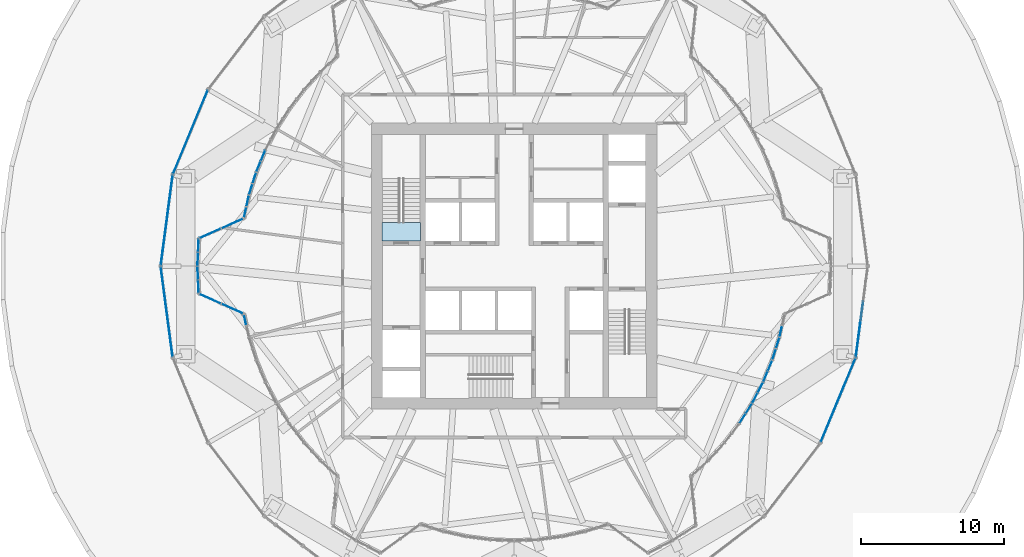
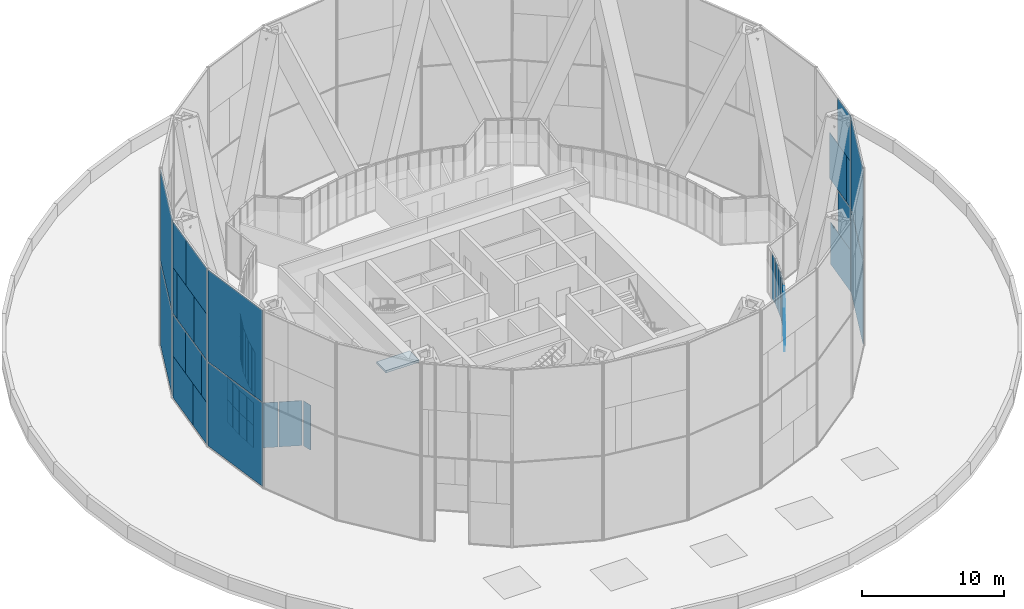
# One storey, part 18 of 27: 54 plates, 1 slab, 18 elements without a shape of their own.
"""IFC4 building model written with IfcOpenShell, lengths in metres."""

import ifcopenshell
import ifcopenshell.guid

model = None  # the IFC model being written
_history = None  # IfcOwnerHistory: only IFC2X3 demands one
_inside = {}  # id of a spatial element -> (the spatial element, [elements in it])
_under = {}  # id of a project, library or spatial element -> (it, [spatial elements below it])
_declared = {}  # id of a project -> (the project, [libraries it declares])
_typed = {}  # id of a type object -> (the type object, [elements of that type])
_made_of = {}  # id of a material, layer set ... -> (it, [elements and type objects made of it])


def new_model(schema):
    """Start an empty IFC model of exactly this schema.

    Asked for "IFC4X3", IfcOpenShell would pick the latest addendum, in which some entities
    have other attributes; the version numbers below select the first issue.
    IFC2X3 requires an IfcOwnerHistory on every rooted entity: one is made here for all.
    """
    global model, _history
    if schema == "IFC4X3":
        model = ifcopenshell.file(schema_version=(4, 3, 0, 0))
    else:
        model = ifcopenshell.file(schema=schema)
    _inside.clear()
    _under.clear()
    _declared.clear()
    _typed.clear()
    _made_of.clear()
    _history = None
    if model.schema == "IFC2X3":
        org = make("IfcOrganization", Name="unknown")
        user = make(
            "IfcPersonAndOrganization",
            ThePerson=make("IfcPerson", FamilyName="unknown"),
            TheOrganization=org,
        )
        app = make(
            "IfcApplication",
            ApplicationDeveloper=org,
            Version="unknown",
            ApplicationFullName="unknown",
            ApplicationIdentifier="unknown",
        )
        _history = make(
            "IfcOwnerHistory",
            OwningUser=user,
            OwningApplication=app,
            ChangeAction="ADDED",
            CreationDate=0,
        )
    return model


def make(cls, **values):
    """One entity of the class cls with the attributes given. An attribute that is None is left unset."""
    return model.create_entity(
        cls, **{name: value for name, value in values.items() if value is not None}
    )


def rooted(cls, **values):
    """An entity with a GlobalId (a new one), such as an element, a storey or a relation."""
    return make(cls, GlobalId=ifcopenshell.guid.new(), OwnerHistory=_history, **values)


def si_unit(unit_type, name, prefix=None):
    """IfcSIUnit, for example si_unit("LENGTHUNIT", "METRE", prefix="MILLI")."""
    return make("IfcSIUnit", UnitType=unit_type, Prefix=prefix, Name=name)


def assignment(units):
    """IfcUnitAssignment: the units of a project."""
    return None if units is None else make("IfcUnitAssignment", Units=units)


def point(xyz):
    """IfcCartesianPoint."""
    return None if xyz is None else make("IfcCartesianPoint", Coordinates=xyz)


def direction(xyz):
    """IfcDirection."""
    return None if xyz is None else make("IfcDirection", DirectionRatios=xyz)


def frame(location, z_axis=None, x_axis=None):
    """IfcAxis2Placement3D, a coordinate frame: its origin and axes. An axis left out is left unset."""
    return make(
        "IfcAxis2Placement3D",
        Location=point(location),
        Axis=direction(z_axis),
        RefDirection=direction(x_axis),
    )


def frame_2d(location, x_axis=None):
    """IfcAxis2Placement2D, a coordinate frame in the plane: its origin and x axis."""
    return make(
        "IfcAxis2Placement2D", Location=point(location), RefDirection=direction(x_axis)
    )


def origin():
    """The frame at (0, 0, 0) with its axes left unset."""
    return frame((0.0, 0.0, 0.0))


def origin_2d():
    """The frame at (0, 0) in the plane with its x axis left unset."""
    return frame_2d((0.0, 0.0))


def place(relative_to, where):
    """IfcLocalPlacement: puts the frame where relative to a parent placement (None: the world)."""
    return make(
        "IfcLocalPlacement", PlacementRelTo=relative_to, RelativePlacement=where
    )


def context(
    kind, dimensions, precision=None, world=None, true_north=None, identifier=None
):
    """IfcGeometricRepresentationContext, for example the 3D "Model" context."""
    return make(
        "IfcGeometricRepresentationContext",
        ContextIdentifier=identifier,
        ContextType=kind,
        CoordinateSpaceDimension=dimensions,
        Precision=precision,
        WorldCoordinateSystem=world,
        TrueNorth=true_north,
    )


def subcontext(parent, identifier, kind, view, scale=None):
    """IfcGeometricRepresentationSubContext, for example "Body" below "Model"."""
    return make(
        "IfcGeometricRepresentationSubContext",
        ContextIdentifier=identifier,
        ContextType=kind,
        ParentContext=parent,
        TargetScale=scale,
        TargetView=view,
    )


def project(units=None, contexts=None):
    """IfcProject with its units and contexts."""
    return rooted(
        "IfcProject",
        Name="project",
        RepresentationContexts=contexts,
        UnitsInContext=assignment(units),
    )


def spatial(cls, under=None, at=None, **own):
    """A site, building, storey or space (cls), placed at a placement, below another one or the project."""
    s = rooted(cls, ObjectPlacement=at, **own)
    if under is not None:
        _under.setdefault(under.id(), (under, []))[1].append(s)
    return s


def polyline(points):
    """IfcPolyline through the points."""
    return make("IfcPolyline", Points=[point(p) for p in points])


def profile(cls, at=None, kind="AREA", **sizes):
    """A parametric profile (cls). Its sizes go by their IFC names, for example OverallWidth=200.0."""
    return make(cls, ProfileType=kind, Position=at, **sizes)


def rectangle(**sizes):
    """IfcRectangleProfileDef."""
    return profile("IfcRectangleProfileDef", **sizes)


def outline(outer, holes=None, kind="AREA"):
    """IfcArbitraryClosedProfileDef: a profile drawn as a closed curve; with holes, ...WithVoids."""
    if holes is None:
        return make("IfcArbitraryClosedProfileDef", ProfileType=kind, OuterCurve=outer)
    return make(
        "IfcArbitraryProfileDefWithVoids",
        ProfileType=kind,
        OuterCurve=outer,
        InnerCurves=holes,
    )


def extrude(swept, where, along, depth):
    """IfcExtrudedAreaSolid: the profile swept, set in the frame where, extruded along a direction by depth."""
    return make(
        "IfcExtrudedAreaSolid",
        SweptArea=swept,
        Position=where,
        ExtrudedDirection=direction(along),
        Depth=depth,
    )


def shape(context_of_items, identifier, shape_type, items):
    """IfcShapeRepresentation: the items that make up one representation, for example the "Body"."""
    return make(
        "IfcShapeRepresentation",
        ContextOfItems=context_of_items,
        RepresentationIdentifier=identifier,
        RepresentationType=shape_type,
        Items=items,
    )


def material(Name=None, Category=None):
    """IfcMaterial."""
    return make("IfcMaterial", Name=Name, Category=Category)


def layer(
    of_material, thickness, ventilated=None, Name=None, Category=None, Priority=None
):
    """IfcMaterialLayer: one layer of a wall or slab, of a material (None: an air gap)."""
    return make(
        "IfcMaterialLayer",
        Material=of_material,
        LayerThickness=thickness,
        IsVentilated=ventilated,
        Name=Name,
        Category=Category,
        Priority=Priority,
    )


def layer_set(layers, Name=None):
    """IfcMaterialLayerSet."""
    return make("IfcMaterialLayerSet", MaterialLayers=layers, LayerSetName=Name)


def made_of(thing, what):
    """Note that an element or type object is made of a material, layer set ...; save() writes the relation."""
    if what is not None:
        _made_of.setdefault(what.id(), (what, []))[1].append(thing)
    return thing


def type_object(cls, material=None, **own):
    """A type object (cls), such as IfcWallType, which elements share."""
    return made_of(rooted(cls, **own), material)


def element(
    cls,
    number,
    at=None,
    inside=None,
    cuts=None,
    type_object=None,
    material=None,
    context=None,
    identifier="Body",
    shape_type=None,
    held_by="IfcProductDefinitionShape",
    body=None,
    shapes=None,
    **own,
):
    """One element of the class cls, such as IfcWall. Its Tag is "e" and its number.

    at: its placement. inside: the storey or other place that contains it. cuts: it is an
    opening in that element (IfcRelVoidsElement). A single representation is given by context,
    identifier, shape_type and body (its items); several are given by shapes. held_by: the class
    of the entity that holds the representations. save() writes the other relations.
    """
    e = rooted(cls, Tag="e%d" % number, ObjectPlacement=at, **own)
    if body is not None:
        shapes = [shape(context, identifier, shape_type, body)]
    if shapes is not None:
        e.Representation = make(held_by, Representations=shapes)
    if inside is not None:
        _inside.setdefault(inside.id(), (inside, []))[1].append(e)
    if cuts is not None:
        rooted(
            "IfcRelVoidsElement", RelatingBuildingElement=cuts, RelatedOpeningElement=e
        )
    if type_object is not None:
        _typed.setdefault(type_object.id(), (type_object, []))[1].append(e)
    return made_of(e, material)


def aggregate(whole, parts):
    """IfcRelAggregates: a whole, such as a stair, and the parts it consists of."""
    return rooted("IfcRelAggregates", RelatingObject=whole, RelatedObjects=parts)


def save(model, path):
    """Write the relations noted so far, then the file.

    IfcRelAggregates (storeys below a building ...), IfcRelContainedInSpatialStructure (elements
    in a storey), IfcRelDefinesByType, IfcRelAssociatesMaterial and IfcRelDeclares: one each for
    every whole, place, type object, material and project.
    """
    for whole, parts in _under.values():
        aggregate(whole, parts)
    for where, things in _inside.values():
        rooted(
            "IfcRelContainedInSpatialStructure",
            RelatedElements=things,
            RelatingStructure=where,
        )
    for kind, things in _typed.values():
        rooted("IfcRelDefinesByType", RelatedObjects=things, RelatingType=kind)
    for what, things in _made_of.values():
        rooted("IfcRelAssociatesMaterial", RelatedObjects=things, RelatingMaterial=what)
    for by, libraries in _declared.values():
        rooted("IfcRelDeclares", RelatingContext=by, RelatedDefinitions=libraries)
    model.write(path)


model = new_model("IFC4")

# Units and contexts
model_context = context("Model", 3, precision=1e-05, world=origin(), true_north=direction((0.0, 1.0)))
body_context = subcontext(model_context, "Body", "Model", "MODEL_VIEW")
ifc_project = project(units=[si_unit("LENGTHUNIT", "METRE"), si_unit("AREAUNIT", "SQUARE_METRE"), si_unit("VOLUMEUNIT", "CUBIC_METRE"), si_unit("PLANEANGLEUNIT", "RADIAN"), si_unit("MASSUNIT", "GRAM", prefix="KILO")], contexts=[model_context])

# Site, building, storey
site_placement = place(None, origin())
site = spatial("IfcSite", under=ifc_project, at=site_placement, CompositionType="ELEMENT")
building_placement = place(site_placement, origin())
building = spatial("IfcBuilding", under=site, at=building_placement, Name="Golbaran Civic Tower", CompositionType="ELEMENT")
storey_placement = place(building_placement, frame((0.0, 0.0, 21.0)))
storey = spatial("IfcBuildingStorey", under=building, at=storey_placement, Name="L04", CompositionType="ELEMENT", Elevation=21.0)

# Curtain wall, plate
ifc_material_1 = material(Name="Aluminium and glass", Category="aluminium")
curtain_wall_type_1 = type_object("IfcCurtainWallType", Name="INNER SKIN CURTAIN WALL", PredefinedType="NOTDEFINED", material=ifc_material_1)
curtain_wall_1_placement = place(storey_placement, origin())
curtain_wall_1 = element("IfcCurtainWall", 1, at=curtain_wall_1_placement, inside=storey, type_object=curtain_wall_type_1, Name="Inner skin L04 facet 32 CW1", ObjectType="INNER SKIN", PredefinedType="USERDEFINED")
ifc_material_2 = material(Name="Clear insulating glass", Category="glass")
ifc_layer_1 = layer(ifc_material_2, 0.031982421875, Name="Clear insulating glass")
ifc_layer_set_1 = layer_set([ifc_layer_1], Name="Clear insulating glass")
plate_type_1 = type_object("IfcPlateType", Name="INNER SKIN CURTAIN WALL GLAZED PANEL", PredefinedType="CURTAIN_PANEL", material=ifc_layer_set_1)
plate_1_placement = place(storey_placement, frame((-17.895751953125, 6.958984375, 0.06494140625), z_axis=(0.0, 0.0, 1.0), x_axis=(-0.382683432188, -0.923879532585, 0.0)))
plate_1 = element("IfcPlate", 2, at=plate_1_placement, type_object=plate_type_1, Name="CW1 panel 2.1", PredefinedType="CURTAIN_PANEL", context=body_context, shape_type="SweptSolid", body=[
    extrude(rectangle(XDim=0.773193359375, YDim=0.031982421875, at=origin_2d()), origin(), (0.0, 0.0, 1.0), 3.8701171875),
])

# Curtain wall, plates
curtain_wall_2_placement = place(storey_placement, origin())
curtain_wall_2 = element("IfcCurtainWall", 3, at=curtain_wall_2_placement, inside=storey, type_object=curtain_wall_type_1, Name="Inner skin L04 facet 33 CW1", ObjectType="INNER SKIN", PredefinedType="USERDEFINED")
plate_2_placement = place(storey_placement, frame((-18.18212890625, 6.172119140625, 0.06494140625), z_axis=(0.0, 0.0, 1.0), x_axis=(-0.300705799704, -0.953716950685, 0.0)))
plate_2 = element("IfcPlate", 4, at=plate_2_placement, type_object=plate_type_1, Name="CW1 panel 1.1", PredefinedType="CURTAIN_PANEL", context=body_context, shape_type="SweptSolid", body=[
    extrude(rectangle(XDim=0.773193359375, YDim=0.031982421875, at=origin_2d()), origin(), (0.0, 0.0, 1.0), 3.8701171875),
])
plate_3_placement = place(storey_placement, frame((-18.434326171875, 5.372802734375, 0.06494140625), z_axis=(0.0, 0.0, 1.0), x_axis=(-0.300705799704, -0.953716950685, 0.0)))
plate_3 = element("IfcPlate", 5, at=plate_3_placement, type_object=plate_type_1, Name="CW1 panel 2.1", PredefinedType="CURTAIN_PANEL", context=body_context, shape_type="SweptSolid", body=[
    extrude(rectangle(XDim=0.773193359375, YDim=0.031982421875, at=origin_2d()), origin(), (0.0, 0.0, 1.0), 3.8701171875),
])
aggregate(curtain_wall_2, [plate_2, plate_3])

curtain_wall_3_placement = place(storey_placement, origin())
curtain_wall_3 = element("IfcCurtainWall", 6, at=curtain_wall_3_placement, inside=storey, type_object=curtain_wall_type_1, Name="Inner skin L04 facet 34 CW1", ObjectType="INNER SKIN", PredefinedType="USERDEFINED")
plate_4_placement = place(storey_placement, frame((-18.65087890625, 4.56396484375, 0.06494140625), z_axis=(0.0, 0.0, 1.0), x_axis=(-0.216439613921, -0.976296007124, 0.0)))
plate_4 = element("IfcPlate", 7, at=plate_4_placement, type_object=plate_type_1, Name="CW1 panel 1.1", PredefinedType="CURTAIN_PANEL", context=body_context, shape_type="SweptSolid", body=[
    extrude(rectangle(XDim=0.773193359375, YDim=0.031982421875, at=origin_2d()), origin(), (0.0, 0.0, 1.0), 3.8701171875),
])
plate_5_placement = place(storey_placement, frame((-18.828857421875, 3.76171875, 0.06494140625), z_axis=(0.0, 0.0, 1.0), x_axis=(-0.216439613921, -0.976296007124, 0.0)))
plate_5 = element("IfcPlate", 8, at=plate_5_placement, type_object=plate_type_1, Name="CW1 panel 2.1", PredefinedType="CURTAIN_PANEL", context=body_context, shape_type="SweptSolid", body=[
    extrude(rectangle(XDim=0.74072265625, YDim=0.031982421875, at=origin_2d()), origin(), (0.0, 0.0, 1.0), 3.8701171875),
])
aggregate(curtain_wall_3, [plate_4, plate_5])

curtain_wall_4_placement = place(storey_placement, origin())
curtain_wall_4 = element("IfcCurtainWall", 9, at=curtain_wall_4_placement, inside=storey, type_object=curtain_wall_type_1, Name="Inner skin L04 facet 35 CW1", ObjectType="INNER SKIN", PredefinedType="USERDEFINED")
plate_6_placement = place(storey_placement, frame((-19.72607421875, 2.978759765625, 0.06494140625), z_axis=(0.0, 0.0, 1.0), x_axis=(-0.91336737885, -0.407136379182, 0.0)))
plate_6 = element("IfcPlate", 10, at=plate_6_placement, type_object=plate_type_1, Name="CW1 panel 1.1", PredefinedType="CURTAIN_PANEL", context=body_context, shape_type="SweptSolid", body=[
    extrude(rectangle(XDim=1.62841796875, YDim=0.031982421875, at=origin_2d()), origin(), (0.0, 0.0, 1.0), 3.8701171875),
])
plate_7_placement = place(storey_placement, frame((-21.272705078125, 2.289306640625, 0.06494140625), z_axis=(0.0, 0.0, 1.0), x_axis=(-0.91336737885, -0.407136379182, 0.0)))
plate_7 = element("IfcPlate", 11, at=plate_7_placement, type_object=plate_type_1, Name="CW1 panel 2.1", PredefinedType="CURTAIN_PANEL", context=body_context, shape_type="SweptSolid", body=[
    extrude(rectangle(XDim=1.62841796875, YDim=0.031982421875, at=origin_2d()), origin(), (0.0, 0.0, 1.0), 3.8701171875),
])
aggregate(curtain_wall_4, [plate_6, plate_7])

curtain_wall_5_placement = place(storey_placement, origin())
curtain_wall_5 = element("IfcCurtainWall", 12, at=curtain_wall_5_placement, inside=storey, type_object=curtain_wall_type_1, Name="Inner skin L04 facet 38 CW1", ObjectType="INNER SKIN", PredefinedType="USERDEFINED")
plate_8_placement = place(storey_placement, frame((-21.272705078125, -2.289306640625, 0.06494140625), z_axis=(0.0, 0.0, 1.0), x_axis=(0.91336737885, -0.407136379182, 0.0)))
plate_8 = element("IfcPlate", 13, at=plate_8_placement, type_object=plate_type_1, Name="CW1 panel 1.1", PredefinedType="CURTAIN_PANEL", context=body_context, shape_type="SweptSolid", body=[
    extrude(rectangle(XDim=1.62841796875, YDim=0.031982421875, at=origin_2d()), origin(), (0.0, 0.0, 1.0), 3.8701171875),
])
plate_9_placement = place(storey_placement, frame((-19.72607421875, -2.978759765625, 0.06494140625), z_axis=(0.0, 0.0, 1.0), x_axis=(0.91336737885, -0.407136379182, 0.0)))
plate_9 = element("IfcPlate", 14, at=plate_9_placement, type_object=plate_type_1, Name="CW1 panel 2.1", PredefinedType="CURTAIN_PANEL", context=body_context, shape_type="SweptSolid", body=[
    extrude(rectangle(XDim=1.62841796875, YDim=0.031982421875, at=origin_2d()), origin(), (0.0, 0.0, 1.0), 3.8701171875),
])
aggregate(curtain_wall_5, [plate_8, plate_9])

# Curtain wall, plate
curtain_wall_6_placement = place(storey_placement, origin())
curtain_wall_6 = element("IfcCurtainWall", 15, at=curtain_wall_6_placement, inside=storey, type_object=curtain_wall_type_1, Name="Inner skin L04 facet 39 CW1", ObjectType="INNER SKIN", PredefinedType="USERDEFINED")
plate_10_placement = place(storey_placement, frame((-18.828857421875, -3.76171875, 0.06494140625), z_axis=(0.0, 0.0, 1.0), x_axis=(0.216439613921, -0.976296007124, 0.0)))
plate_10 = element("IfcPlate", 16, at=plate_10_placement, type_object=plate_type_1, Name="CW1 panel 1.1", PredefinedType="CURTAIN_PANEL", context=body_context, shape_type="SweptSolid", body=[
    extrude(rectangle(XDim=0.74072265625, YDim=0.031982421875, at=origin_2d()), origin(), (0.0, 0.0, 1.0), 3.8701171875),
])
aggregate(curtain_wall_6, [plate_10])

curtain_wall_7_placement = place(storey_placement, origin())
curtain_wall_7 = element("IfcCurtainWall", 17, at=curtain_wall_7_placement, inside=storey, type_object=curtain_wall_type_1, Name="Inner skin L04 facet 68 CW1", ObjectType="INNER SKIN", PredefinedType="USERDEFINED")
plate_11_placement = place(storey_placement, frame((17.895751953125, -6.958984375, 0.06494140625), z_axis=(0.0, 0.0, 1.0), x_axis=(0.382683432188, 0.923879532585, 0.0)))
plate_11 = element("IfcPlate", 18, at=plate_11_placement, type_object=plate_type_1, Name="CW1 panel 2.1", PredefinedType="CURTAIN_PANEL", context=body_context, shape_type="SweptSolid", body=[
    extrude(rectangle(XDim=0.773193359375, YDim=0.031982421875, at=origin_2d()), origin(), (0.0, 0.0, 1.0), 3.8701171875),
])

# Curtain wall, plates
curtain_wall_8_placement = place(storey_placement, origin())
curtain_wall_8 = element("IfcCurtainWall", 19, at=curtain_wall_8_placement, inside=storey, type_object=curtain_wall_type_1, Name="Inner skin L04 facet 69 CW1", ObjectType="INNER SKIN", PredefinedType="USERDEFINED")
plate_12_placement = place(storey_placement, frame((18.18212890625, -6.172119140625, 0.06494140625), z_axis=(0.0, 0.0, 1.0), x_axis=(0.300705799704, 0.953716950685, 0.0)))
plate_12 = element("IfcPlate", 20, at=plate_12_placement, type_object=plate_type_1, Name="CW1 panel 1.1", PredefinedType="CURTAIN_PANEL", context=body_context, shape_type="SweptSolid", body=[
    extrude(rectangle(XDim=0.773193359375, YDim=0.031982421875, at=origin_2d()), origin(), (0.0, 0.0, 1.0), 3.8701171875),
])
plate_13_placement = place(storey_placement, frame((18.434326171875, -5.372802734375, 0.06494140625), z_axis=(0.0, 0.0, 1.0), x_axis=(0.300705799704, 0.953716950685, 0.0)))
plate_13 = element("IfcPlate", 21, at=plate_13_placement, type_object=plate_type_1, Name="CW1 panel 2.1", PredefinedType="CURTAIN_PANEL", context=body_context, shape_type="SweptSolid", body=[
    extrude(rectangle(XDim=0.773193359375, YDim=0.031982421875, at=origin_2d()), origin(), (0.0, 0.0, 1.0), 3.8701171875),
])
aggregate(curtain_wall_8, [plate_12, plate_13])

# Curtain wall, plate
curtain_wall_9_placement = place(storey_placement, origin())
curtain_wall_9 = element("IfcCurtainWall", 22, at=curtain_wall_9_placement, inside=storey, type_object=curtain_wall_type_1, Name="Inner skin L04 facet 70 CW1", ObjectType="INNER SKIN", PredefinedType="USERDEFINED")
plate_14_placement = place(storey_placement, frame((18.65087890625, -4.56396484375, 0.06494140625), z_axis=(0.0, 0.0, 1.0), x_axis=(0.216439613921, 0.976296007124, 0.0)))
plate_14 = element("IfcPlate", 23, at=plate_14_placement, type_object=plate_type_1, Name="CW1 panel 1.1", PredefinedType="CURTAIN_PANEL", context=body_context, shape_type="SweptSolid", body=[
    extrude(rectangle(XDim=0.773193359375, YDim=0.031982421875, at=origin_2d()), origin(), (0.0, 0.0, 1.0), 3.8701171875),
])
aggregate(curtain_wall_9, [plate_14])

# Plate
ifc_material_3 = material(Name="Aluminium faced opaque infill panel", Category="aluminium")
ifc_layer_2 = layer(ifc_material_3, 0.031982421875, Name="Aluminium faced opaque infill panel")
ifc_layer_set_2 = layer_set([ifc_layer_2], Name="Aluminium faced opaque infill panel")
plate_type_2 = type_object("IfcPlateType", Name="INNER SKIN CURTAIN WALL OPAQUE INFILL PANEL", PredefinedType="CURTAIN_PANEL", material=ifc_layer_set_2)
plate_15_placement = place(storey_placement, frame((-17.5751953125, 7.7333984375, 0.06494140625), z_axis=(0.0, 0.0, 1.0), x_axis=(-0.382683432188, -0.923879532585, 0.0)))
plate_15 = element("IfcPlate", 24, at=plate_15_placement, type_object=plate_type_2, Name="CW1 infill panel 1.1 part 1", PredefinedType="CURTAIN_PANEL", context=body_context, shape_type="SweptSolid", body=[
    extrude(rectangle(XDim=0.773193359375, YDim=0.031982421875, at=origin_2d()), origin(), (0.0, 0.0, 1.0), 1.93505859375),
])

plate_16_placement = place(storey_placement, frame((-17.5751953125, 7.7333984375, 2.0), z_axis=(0.0, 0.0, 1.0), x_axis=(-0.382683432188, -0.923879532585, 0.0)))
plate_16 = element("IfcPlate", 25, at=plate_16_placement, type_object=plate_type_2, Name="CW1 infill panel 1.1 part 2", PredefinedType="CURTAIN_PANEL", context=body_context, shape_type="SweptSolid", body=[
    extrude(rectangle(XDim=0.773193359375, YDim=0.031982421875, at=origin_2d()), origin(), (0.0, 0.0, 1.0), 1.93505859375),
])

aggregate(curtain_wall_1, [plate_15, plate_16, plate_1])

# Curtain wall, plates
curtain_wall_10_placement = place(storey_placement, origin())
curtain_wall_10 = element("IfcCurtainWall", 26, at=curtain_wall_10_placement, inside=storey, type_object=curtain_wall_type_1, Name="Inner skin L04 facet 36 CW1", ObjectType="INNER SKIN", PredefinedType="USERDEFINED")
plate_17_placement = place(storey_placement, frame((-22.097412109375, 1.432373046875, 0.06494140625), z_axis=(0.0, 0.0, 1.0), x_axis=(-0.043619387226, -0.999048221588, 0.0)))
plate_17 = element("IfcPlate", 27, at=plate_17_placement, type_object=plate_type_2, Name="CW1 infill panel 1.1 part 1", PredefinedType="CURTAIN_PANEL", context=body_context, shape_type="SweptSolid", body=[
    extrude(rectangle(XDim=0.869140625, YDim=0.031982421875, at=origin_2d()), origin(), (0.0, 0.0, 1.0), 1.93505859375),
])
plate_18_placement = place(storey_placement, frame((-22.097412109375, 1.432373046875, 2.0), z_axis=(0.0, 0.0, 1.0), x_axis=(-0.043619387226, -0.999048221588, 0.0)))
plate_18 = element("IfcPlate", 28, at=plate_18_placement, type_object=plate_type_2, Name="CW1 infill panel 1.1 part 2", PredefinedType="CURTAIN_PANEL", context=body_context, shape_type="SweptSolid", body=[
    extrude(rectangle(XDim=0.869140625, YDim=0.031982421875, at=origin_2d()), origin(), (0.0, 0.0, 1.0), 1.93505859375),
])
plate_19_placement = place(storey_placement, frame((-22.138916015625, 0.48291015625, 0.06494140625), z_axis=(0.0, 0.0, 1.0), x_axis=(-0.043619387226, -0.999048221588, 0.0)))
plate_19 = element("IfcPlate", 29, at=plate_19_placement, type_object=plate_type_2, Name="CW1 infill panel 2.1 part 1", PredefinedType="CURTAIN_PANEL", context=body_context, shape_type="SweptSolid", body=[
    extrude(rectangle(XDim=0.901611328125, YDim=0.031982421875, at=origin_2d()), origin(), (0.0, 0.0, 1.0), 1.93505859375),
])
plate_20_placement = place(storey_placement, frame((-22.138916015625, 0.48291015625, 2.0), z_axis=(0.0, 0.0, 1.0), x_axis=(-0.043619387226, -0.999048221588, 0.0)))
plate_20 = element("IfcPlate", 30, at=plate_20_placement, type_object=plate_type_2, Name="CW1 infill panel 2.1 part 2", PredefinedType="CURTAIN_PANEL", context=body_context, shape_type="SweptSolid", body=[
    extrude(rectangle(XDim=0.901611328125, YDim=0.031982421875, at=origin_2d()), origin(), (0.0, 0.0, 1.0), 1.93505859375),
])
aggregate(curtain_wall_10, [plate_17, plate_18, plate_19, plate_20])

curtain_wall_11_placement = place(storey_placement, origin())
curtain_wall_11 = element("IfcCurtainWall", 31, at=curtain_wall_11_placement, inside=storey, type_object=curtain_wall_type_1, Name="Inner skin L04 facet 37 CW1", ObjectType="INNER SKIN", PredefinedType="USERDEFINED")
plate_21_placement = place(storey_placement, frame((-22.138916015625, -0.48291015625, 0.06494140625), z_axis=(0.0, 0.0, 1.0), x_axis=(0.043619387226, -0.999048221588, 0.0)))
plate_21 = element("IfcPlate", 32, at=plate_21_placement, type_object=plate_type_2, Name="CW1 infill panel 1.1 part 1", PredefinedType="CURTAIN_PANEL", context=body_context, shape_type="SweptSolid", body=[
    extrude(rectangle(XDim=0.901611328125, YDim=0.031982421875, at=origin_2d()), origin(), (0.0, 0.0, 1.0), 1.93505859375),
])
plate_22_placement = place(storey_placement, frame((-22.138916015625, -0.48291015625, 2.0), z_axis=(0.0, 0.0, 1.0), x_axis=(0.043619387226, -0.999048221588, 0.0)))
plate_22 = element("IfcPlate", 33, at=plate_22_placement, type_object=plate_type_2, Name="CW1 infill panel 1.1 part 2", PredefinedType="CURTAIN_PANEL", context=body_context, shape_type="SweptSolid", body=[
    extrude(rectangle(XDim=0.901611328125, YDim=0.031982421875, at=origin_2d()), origin(), (0.0, 0.0, 1.0), 1.93505859375),
])
plate_23_placement = place(storey_placement, frame((-22.097412109375, -1.432373046875, 0.06494140625), z_axis=(0.0, 0.0, 1.0), x_axis=(0.043619387226, -0.999048221588, 0.0)))
plate_23 = element("IfcPlate", 34, at=plate_23_placement, type_object=plate_type_2, Name="CW1 infill panel 2.1 part 1", PredefinedType="CURTAIN_PANEL", context=body_context, shape_type="SweptSolid", body=[
    extrude(rectangle(XDim=0.869140625, YDim=0.031982421875, at=origin_2d()), origin(), (0.0, 0.0, 1.0), 1.93505859375),
])
plate_24_placement = place(storey_placement, frame((-22.097412109375, -1.432373046875, 2.0), z_axis=(0.0, 0.0, 1.0), x_axis=(0.043619387226, -0.999048221588, 0.0)))
plate_24 = element("IfcPlate", 35, at=plate_24_placement, type_object=plate_type_2, Name="CW1 infill panel 2.1 part 2", PredefinedType="CURTAIN_PANEL", context=body_context, shape_type="SweptSolid", body=[
    extrude(rectangle(XDim=0.869140625, YDim=0.031982421875, at=origin_2d()), origin(), (0.0, 0.0, 1.0), 1.93505859375),
])
aggregate(curtain_wall_11, [plate_21, plate_22, plate_23, plate_24])

curtain_wall_12_placement = place(storey_placement, origin())
curtain_wall_12 = element("IfcCurtainWall", 36, at=curtain_wall_12_placement, inside=storey, type_object=curtain_wall_type_1, Name="Inner skin L04 facet 66 CW1", ObjectType="INNER SKIN", PredefinedType="USERDEFINED")
plate_25_placement = place(storey_placement, frame((15.965087890625, -10.667724609375, 2.0), z_axis=(0.0, 0.0, 1.0), x_axis=(0.537299608597, 0.843391445653, 0.0)))
plate_25 = element("IfcPlate", 37, at=plate_25_placement, type_object=plate_type_2, Name="CW1 infill panel 1.1 part 2", PredefinedType="CURTAIN_PANEL", context=body_context, shape_type="SweptSolid", body=[
    extrude(rectangle(XDim=0.773193359375, YDim=0.031982421875, at=origin_2d()), origin(), (0.0, 0.0, 1.0), 1.93505859375),
])
plate_26_placement = place(storey_placement, frame((16.41552734375, -9.9609375, 0.06494140625), z_axis=(0.0, 0.0, 1.0), x_axis=(0.537299608597, 0.843391445653, 0.0)))
plate_26 = element("IfcPlate", 38, at=plate_26_placement, type_object=plate_type_2, Name="CW1 infill panel 2.1 part 1", PredefinedType="CURTAIN_PANEL", context=body_context, shape_type="SweptSolid", body=[
    extrude(rectangle(XDim=0.773193359375, YDim=0.031982421875, at=origin_2d()), origin(), (0.0, 0.0, 1.0), 1.93505859375),
])
plate_27_placement = place(storey_placement, frame((16.41552734375, -9.9609375, 2.0), z_axis=(0.0, 0.0, 1.0), x_axis=(0.537299608597, 0.843391445653, 0.0)))
plate_27 = element("IfcPlate", 39, at=plate_27_placement, type_object=plate_type_2, Name="CW1 infill panel 2.1 part 2", PredefinedType="CURTAIN_PANEL", context=body_context, shape_type="SweptSolid", body=[
    extrude(rectangle(XDim=0.773193359375, YDim=0.031982421875, at=origin_2d()), origin(), (0.0, 0.0, 1.0), 1.93505859375),
])
aggregate(curtain_wall_12, [plate_25, plate_26, plate_27])

curtain_wall_13_placement = place(storey_placement, origin())
curtain_wall_13 = element("IfcCurtainWall", 40, at=curtain_wall_13_placement, inside=storey, type_object=curtain_wall_type_1, Name="Inner skin L04 facet 67 CW1", ObjectType="INNER SKIN", PredefinedType="USERDEFINED")
plate_28_placement = place(storey_placement, frame((16.834228515625, -9.23583984375, 0.06494140625), z_axis=(0.0, 0.0, 1.0), x_axis=(0.461748613065, 0.887010833267, 0.0)))
plate_28 = element("IfcPlate", 41, at=plate_28_placement, type_object=plate_type_2, Name="CW1 infill panel 1.1 part 1", PredefinedType="CURTAIN_PANEL", context=body_context, shape_type="SweptSolid", body=[
    extrude(rectangle(XDim=0.773193359375, YDim=0.031982421875, at=origin_2d()), origin(), (0.0, 0.0, 1.0), 1.93505859375),
])
plate_29_placement = place(storey_placement, frame((16.834228515625, -9.23583984375, 2.0), z_axis=(0.0, 0.0, 1.0), x_axis=(0.461748613065, 0.887010833267, 0.0)))
plate_29 = element("IfcPlate", 42, at=plate_29_placement, type_object=plate_type_2, Name="CW1 infill panel 1.1 part 2", PredefinedType="CURTAIN_PANEL", context=body_context, shape_type="SweptSolid", body=[
    extrude(rectangle(XDim=0.773193359375, YDim=0.031982421875, at=origin_2d()), origin(), (0.0, 0.0, 1.0), 1.93505859375),
])
plate_30_placement = place(storey_placement, frame((17.22119140625, -8.492431640625, 0.06494140625), z_axis=(0.0, 0.0, 1.0), x_axis=(0.461748613065, 0.887010833267, 0.0)))
plate_30 = element("IfcPlate", 43, at=plate_30_placement, type_object=plate_type_2, Name="CW1 infill panel 2.1 part 1", PredefinedType="CURTAIN_PANEL", context=body_context, shape_type="SweptSolid", body=[
    extrude(rectangle(XDim=0.773193359375, YDim=0.031982421875, at=origin_2d()), origin(), (0.0, 0.0, 1.0), 1.93505859375),
])
plate_31_placement = place(storey_placement, frame((17.22119140625, -8.492431640625, 2.0), z_axis=(0.0, 0.0, 1.0), x_axis=(0.461748613065, 0.887010833267, 0.0)))
plate_31 = element("IfcPlate", 44, at=plate_31_placement, type_object=plate_type_2, Name="CW1 infill panel 2.1 part 2", PredefinedType="CURTAIN_PANEL", context=body_context, shape_type="SweptSolid", body=[
    extrude(rectangle(XDim=0.773193359375, YDim=0.031982421875, at=origin_2d()), origin(), (0.0, 0.0, 1.0), 1.93505859375),
])
aggregate(curtain_wall_13, [plate_28, plate_29, plate_30, plate_31])

# Plate
plate_32_placement = place(storey_placement, frame((17.5751953125, -7.7333984375, 0.06494140625), z_axis=(0.0, 0.0, 1.0), x_axis=(0.382683432188, 0.923879532585, 0.0)))
plate_32 = element("IfcPlate", 45, at=plate_32_placement, type_object=plate_type_2, Name="CW1 infill panel 1.1 part 1", PredefinedType="CURTAIN_PANEL", context=body_context, shape_type="SweptSolid", body=[
    extrude(rectangle(XDim=0.773193359375, YDim=0.031982421875, at=origin_2d()), origin(), (0.0, 0.0, 1.0), 1.93505859375),
])

plate_33_placement = place(storey_placement, frame((17.5751953125, -7.7333984375, 2.0), z_axis=(0.0, 0.0, 1.0), x_axis=(0.382683432188, 0.923879532585, 0.0)))
plate_33 = element("IfcPlate", 46, at=plate_33_placement, type_object=plate_type_2, Name="CW1 infill panel 1.1 part 2", PredefinedType="CURTAIN_PANEL", context=body_context, shape_type="SweptSolid", body=[
    extrude(rectangle(XDim=0.773193359375, YDim=0.031982421875, at=origin_2d()), origin(), (0.0, 0.0, 1.0), 1.93505859375),
])

aggregate(curtain_wall_7, [plate_32, plate_33, plate_11])

# Curtain wall, plates
curtain_wall_type_2 = type_object("IfcCurtainWallType", Name="OUTER SKIN TERRACOTTA SCREEN", PredefinedType="NOTDEFINED", material=ifc_material_1)
curtain_wall_14_placement = place(storey_placement, origin())
curtain_wall_14 = element("IfcCurtainWall", 47, at=curtain_wall_14_placement, inside=storey, type_object=curtain_wall_type_2, Name="Outer skin L04 facet 12 CW3", ObjectType="OUTER SKIN", PredefinedType="USERDEFINED")
ifc_material_4 = material(Name="Clear laminated glass", Category="glass")
ifc_layer_3 = layer(ifc_material_4, 0.0400390625, Name="Clear laminated glass")
ifc_layer_set_3 = layer_set([ifc_layer_3], Name="Clear laminated glass")
plate_type_3 = type_object("IfcPlateType", Name="OUTER SKIN CLEAR GLASS PANEL", PredefinedType="CURTAIN_PANEL", material=ifc_layer_set_3)
plate_34_placement = place(storey_placement, frame((-24.146728515625, 4.468994140625, 0.080078125), z_axis=(0.0, 0.0, 1.0), x_axis=(-0.130526192255, -0.991444861369, 0.0)))
plate_34 = element("IfcPlate", 48, at=plate_34_placement, type_object=plate_type_3, Name="CW3 panel 1.1 part 1", PredefinedType="CURTAIN_PANEL", context=body_context, shape_type="SweptSolid", body=[
    extrude(rectangle(XDim=3.739013671875, YDim=0.0400390625, at=origin_2d()), origin(), (0.0, 0.0, 1.0), 3.5849609375),
])
plate_35_placement = place(storey_placement, frame((-24.055908203125, 5.158203125, 3.6650390625), z_axis=(0.0, 0.0, 1.0), x_axis=(-0.130526192255, -0.991444861369, 0.0)))
plate_35 = element("IfcPlate", 49, at=plate_35_placement, type_object=plate_type_3, Name="CW3 panel 1.1 part 3", PredefinedType="CURTAIN_PANEL", context=body_context, shape_type="SweptSolid", body=[
    extrude(rectangle(XDim=2.34912109375, YDim=0.0400390625, at=origin_2d()), origin(), (0.0, 0.0, 1.0), 3.5849609375),
])
plate_36_placement = place(storey_placement, frame((-24.6591796875, 0.57666015625, 3.6650390625), z_axis=(0.0, 0.0, 1.0), x_axis=(-0.130526192255, -0.991444861369, 0.0)))
plate_36 = element("IfcPlate", 50, at=plate_36_placement, type_object=plate_type_3, Name="CW3 panel 1.1 part 5", PredefinedType="CURTAIN_PANEL", context=body_context, shape_type="SweptSolid", body=[
    extrude(rectangle(XDim=1.003173828125, YDim=0.0400390625, at=origin_2d()), origin(), (0.0, 0.0, 1.0), 3.5849609375),
])
plate_37_placement = place(storey_placement, frame((-23.9541015625, 5.930908203125, 7.330078125), z_axis=(0.0, 0.0, 1.0), x_axis=(-0.130526192255, -0.991444861369, 0.0)))
plate_37 = element("IfcPlate", 51, at=plate_37_placement, type_object=plate_type_3, Name="CW3 panel 1.2 part 1", PredefinedType="CURTAIN_PANEL", context=body_context, shape_type="SweptSolid", body=[
    extrude(rectangle(XDim=0.7900390625, YDim=0.0400390625, at=origin_2d()), origin(), (0.0, 0.0, 1.0), 3.93994140625),
])
plate_38_placement = place(storey_placement, frame((-24.56787109375, 1.26953125, 7.330078125), z_axis=(0.0, 0.0, 1.0), x_axis=(-0.130526192255, -0.991444861369, 0.0)))
plate_38 = element("IfcPlate", 52, at=plate_38_placement, type_object=plate_type_3, Name="CW3 panel 1.2 part 3", PredefinedType="CURTAIN_PANEL", context=body_context, shape_type="SweptSolid", body=[
    extrude(rectangle(XDim=2.401123046875, YDim=0.0400390625, at=origin_2d()), origin(), (0.0, 0.0, 1.0), 3.93994140625),
])
plate_39_placement = place(storey_placement, frame((-24.4697265625, 2.01513671875, 11.27001953125), z_axis=(0.0, 0.0, 1.0), x_axis=(-0.130526192255, -0.991444861369, 0.0)))
plate_39 = element("IfcPlate", 53, at=plate_39_placement, type_object=plate_type_3, Name="CW3 panel 1.2 part 5", PredefinedType="CURTAIN_PANEL", context=body_context, shape_type="SweptSolid", body=[
    extrude(rectangle(XDim=3.905029296875, YDim=0.0400390625, at=origin_2d()), origin(), (0.0, 0.0, 1.0), 3.93994140625),
])

curtain_wall_15_placement = place(storey_placement, origin())
curtain_wall_15 = element("IfcCurtainWall", 54, at=curtain_wall_15_placement, inside=storey, type_object=curtain_wall_type_2, Name="Outer skin L04 facet 24 CW3", ObjectType="OUTER SKIN", PredefinedType="USERDEFINED")
plate_40_placement = place(storey_placement, frame((24.146728515625, -4.468994140625, 0.080078125), z_axis=(0.0, 0.0, 1.0), x_axis=(0.130526192255, 0.991444861369, 0.0)))
plate_40 = element("IfcPlate", 55, at=plate_40_placement, type_object=plate_type_3, Name="CW3 panel 1.1 part 1", PredefinedType="CURTAIN_PANEL", context=body_context, shape_type="SweptSolid", body=[
    extrude(rectangle(XDim=3.739013671875, YDim=0.0400390625, at=origin_2d()), origin(), (0.0, 0.0, 1.0), 3.5849609375),
])
plate_41_placement = place(storey_placement, frame((24.055908203125, -5.158203125, 3.6650390625), z_axis=(0.0, 0.0, 1.0), x_axis=(0.130526192255, 0.991444861369, 0.0)))
plate_41 = element("IfcPlate", 56, at=plate_41_placement, type_object=plate_type_3, Name="CW3 panel 1.1 part 3", PredefinedType="CURTAIN_PANEL", context=body_context, shape_type="SweptSolid", body=[
    extrude(rectangle(XDim=2.34912109375, YDim=0.0400390625, at=origin_2d()), origin(), (0.0, 0.0, 1.0), 3.5849609375),
])
plate_42_placement = place(storey_placement, frame((23.9541015625, -5.930908203125, 7.330078125), z_axis=(0.0, 0.0, 1.0), x_axis=(0.130526192255, 0.991444861369, 0.0)))
plate_42 = element("IfcPlate", 57, at=plate_42_placement, type_object=plate_type_3, Name="CW3 panel 1.2 part 1", PredefinedType="CURTAIN_PANEL", context=body_context, shape_type="SweptSolid", body=[
    extrude(rectangle(XDim=0.7900390625, YDim=0.0400390625, at=origin_2d()), origin(), (0.0, 0.0, 1.0), 3.93994140625),
])

# Plate
ifc_material_5 = material(Name="Terracotta baguette screen", Category="masonry")
ifc_layer_4 = layer(ifc_material_5, 0.0400390625, Name="Terracotta baguette screen")
ifc_layer_set_4 = layer_set([ifc_layer_4], Name="Terracotta baguette screen")
plate_type_4 = type_object("IfcPlateType", Name="OUTER SKIN TERRACOTTA INFILL PANEL", PredefinedType="CURTAIN_PANEL", material=ifc_layer_set_4)
plate_43_placement = place(storey_placement, frame((-24.5576171875, 1.347412109375, 0.080078125), z_axis=(0.0, 0.0, 1.0), x_axis=(-0.130526192255, -0.991444861369, 0.0)))
plate_43 = element("IfcPlate", 58, at=plate_43_placement, type_object=plate_type_4, Name="CW3 infill panel 1.1 part 2", PredefinedType="CURTAIN_PANEL", context=body_context, shape_type="SweptSolid", body=[
    extrude(rectangle(XDim=2.55810546875, YDim=0.0400390625, at=origin_2d()), origin(), (0.0, 0.0, 1.0), 3.5849609375),
])

plate_44_placement = place(storey_placement, frame((-24.4013671875, 2.53369140625, 3.6650390625), z_axis=(0.0, 0.0, 1.0), x_axis=(-0.130526192255, -0.991444861369, 0.0)))
plate_44 = element("IfcPlate", 59, at=plate_44_placement, type_object=plate_type_4, Name="CW3 infill panel 1.1 part 4", PredefinedType="CURTAIN_PANEL", context=body_context, shape_type="SweptSolid", body=[
    extrude(rectangle(XDim=2.945068359375, YDim=0.0400390625, at=origin_2d()), origin(), (0.0, 0.0, 1.0), 3.5849609375),
])

plate_45_placement = place(storey_placement, frame((-24.20849609375, 3.99951171875, 7.330078125), z_axis=(0.0, 0.0, 1.0), x_axis=(-0.130526192255, -0.991444861369, 0.0)))
plate_45 = element("IfcPlate", 60, at=plate_45_placement, type_object=plate_type_4, Name="CW3 infill panel 1.2 part 2", PredefinedType="CURTAIN_PANEL", context=body_context, shape_type="SweptSolid", body=[
    extrude(rectangle(XDim=3.10595703125, YDim=0.0400390625, at=origin_2d()), origin(), (0.0, 0.0, 1.0), 3.93994140625),
])

plate_46_placement = place(storey_placement, frame((-24.058837890625, 5.13671875, 11.27001953125), z_axis=(0.0, 0.0, 1.0), x_axis=(-0.130526192255, -0.991444861369, 0.0)))
plate_46 = element("IfcPlate", 61, at=plate_46_placement, type_object=plate_type_4, Name="CW3 infill panel 1.2 part 4", PredefinedType="CURTAIN_PANEL", context=body_context, shape_type="SweptSolid", body=[
    extrude(rectangle(XDim=2.39208984375, YDim=0.0400390625, at=origin_2d()), origin(), (0.0, 0.0, 1.0), 3.93994140625),
])

aggregate(curtain_wall_14, [plate_34, plate_43, plate_35, plate_44, plate_36, plate_37, plate_45, plate_38, plate_46, plate_39])

plate_47_placement = place(storey_placement, frame((24.20849609375, -3.99951171875, 7.330078125), z_axis=(0.0, 0.0, 1.0), x_axis=(0.130526192255, 0.991444861369, 0.0)))
plate_47 = element("IfcPlate", 62, at=plate_47_placement, type_object=plate_type_4, Name="CW3 infill panel 1.2 part 2", PredefinedType="CURTAIN_PANEL", context=body_context, shape_type="SweptSolid", body=[
    extrude(rectangle(XDim=3.10595703125, YDim=0.0400390625, at=origin_2d()), origin(), (0.0, 0.0, 1.0), 3.93994140625),
])

plate_48_placement = place(storey_placement, frame((24.058837890625, -5.13671875, 11.27001953125), z_axis=(0.0, 0.0, 1.0), x_axis=(0.130526192255, 0.991444861369, 0.0)))
plate_48 = element("IfcPlate", 63, at=plate_48_placement, type_object=plate_type_4, Name="CW3 infill panel 1.2 part 4", PredefinedType="CURTAIN_PANEL", context=body_context, shape_type="SweptSolid", body=[
    extrude(rectangle(XDim=2.39208984375, YDim=0.0400390625, at=origin_2d()), origin(), (0.0, 0.0, 1.0), 3.93994140625),
])

aggregate(curtain_wall_15, [plate_40, plate_41, plate_42, plate_47, plate_48])

# Curtain wall, plates
curtain_wall_16_placement = place(storey_placement, origin())
curtain_wall_16 = element("IfcCurtainWall", 64, at=curtain_wall_16_placement, inside=storey, type_object=curtain_wall_type_2, Name="Outer skin L04 facet 11 CW3", ObjectType="OUTER SKIN", PredefinedType="USERDEFINED")
ifc_layer_5 = layer(ifc_material_5, 0.0400390625, Name="Terracotta baguette screen")
ifc_layer_set_5 = layer_set([ifc_layer_5], Name="Terracotta baguette screen")
plate_type_5 = type_object("IfcPlateType", Name="OUTER SKIN TERRACOTTA SCREEN PANEL", PredefinedType="CURTAIN_PANEL", material=ifc_layer_set_5)
plate_49_placement = place(storey_placement, frame((-22.65673828125, 9.384765625, 0.080078125), z_axis=(0.0, 0.0, 1.0), x_axis=(-0.382683432301, -0.923879532538, 0.0)))
plate_49 = element("IfcPlate", 65, at=plate_49_placement, type_object=plate_type_5, Name="CW3 terracotta screen panel 1.1", PredefinedType="CURTAIN_PANEL", context=body_context, shape_type="SweptSolid", body=[
    extrude(rectangle(XDim=6.297119140625, YDim=0.0400390625, at=origin_2d()), origin(), (0.0, 0.0, 1.0), 7.169921875),
])
plate_50_placement = place(storey_placement, frame((-22.65673828125, 9.384765625, 7.330078125), z_axis=(0.0, 0.0, 1.0), x_axis=(-0.382683432301, -0.923879532538, 0.0)))
plate_50 = element("IfcPlate", 66, at=plate_50_placement, type_object=plate_type_5, Name="CW3 terracotta screen panel 1.2", PredefinedType="CURTAIN_PANEL", context=body_context, shape_type="SweptSolid", body=[
    extrude(rectangle(XDim=6.297119140625, YDim=0.0400390625, at=origin_2d()), origin(), (0.0, 0.0, 1.0), 7.8798828125),
])
aggregate(curtain_wall_16, [plate_49, plate_50])

curtain_wall_17_placement = place(storey_placement, origin())
curtain_wall_17 = element("IfcCurtainWall", 67, at=curtain_wall_17_placement, inside=storey, type_object=curtain_wall_type_2, Name="Outer skin L04 facet 13 CW3", ObjectType="OUTER SKIN", PredefinedType="USERDEFINED")
plate_51_placement = place(storey_placement, frame((-24.3134765625, -3.200927734375, 0.080078125), z_axis=(0.0, 0.0, 1.0), x_axis=(0.130526192255, -0.991444861369, 0.0)))
plate_51 = element("IfcPlate", 68, at=plate_51_placement, type_object=plate_type_5, Name="CW3 terracotta screen panel 1.1", PredefinedType="CURTAIN_PANEL", context=body_context, shape_type="SweptSolid", body=[
    extrude(rectangle(XDim=6.297119140625, YDim=0.0400390625, at=origin_2d()), origin(), (0.0, 0.0, 1.0), 7.169921875),
])
plate_52_placement = place(storey_placement, frame((-24.3134765625, -3.200927734375, 7.330078125), z_axis=(0.0, 0.0, 1.0), x_axis=(0.130526192255, -0.991444861369, 0.0)))
plate_52 = element("IfcPlate", 69, at=plate_52_placement, type_object=plate_type_5, Name="CW3 terracotta screen panel 1.2", PredefinedType="CURTAIN_PANEL", context=body_context, shape_type="SweptSolid", body=[
    extrude(rectangle(XDim=6.297119140625, YDim=0.0400390625, at=origin_2d()), origin(), (0.0, 0.0, 1.0), 7.8798828125),
])
aggregate(curtain_wall_17, [plate_51, plate_52])

curtain_wall_18_placement = place(storey_placement, origin())
curtain_wall_18 = element("IfcCurtainWall", 70, at=curtain_wall_18_placement, inside=storey, type_object=curtain_wall_type_2, Name="Outer skin L04 facet 23 CW3", ObjectType="OUTER SKIN", PredefinedType="USERDEFINED")
plate_53_placement = place(storey_placement, frame((22.65673828125, -9.384765625, 0.080078125), z_axis=(0.0, 0.0, 1.0), x_axis=(0.382683432301, 0.923879532538, 0.0)))
plate_53 = element("IfcPlate", 71, at=plate_53_placement, type_object=plate_type_5, Name="CW3 terracotta screen panel 1.1", PredefinedType="CURTAIN_PANEL", context=body_context, shape_type="SweptSolid", body=[
    extrude(rectangle(XDim=6.297119140625, YDim=0.0400390625, at=origin_2d()), origin(), (0.0, 0.0, 1.0), 7.169921875),
])
plate_54_placement = place(storey_placement, frame((22.65673828125, -9.384765625, 7.330078125), z_axis=(0.0, 0.0, 1.0), x_axis=(0.382683432301, 0.923879532538, 0.0)))
plate_54 = element("IfcPlate", 72, at=plate_54_placement, type_object=plate_type_5, Name="CW3 terracotta screen panel 1.2", PredefinedType="CURTAIN_PANEL", context=body_context, shape_type="SweptSolid", body=[
    extrude(rectangle(XDim=6.297119140625, YDim=0.0400390625, at=origin_2d()), origin(), (0.0, 0.0, 1.0), 7.8798828125),
])
aggregate(curtain_wall_18, [plate_53, plate_54])

# Slab
ifc_material_6 = material(Name="Concrete C35/45", Category="concrete")
ifc_layer_6 = layer(ifc_material_6, 0.199951171875, Name="Concrete C35/45")
ifc_layer_set_6 = layer_set([ifc_layer_6], Name="Concrete C35/45")
slab_type = type_object("IfcSlabType", Name="STAIR LANDING 200", PredefinedType="LANDING", material=ifc_layer_set_6)
slab_placement = place(storey_placement, frame((0.0, 0.0, -0.199951171875)))
element("IfcSlab", 73, at=slab_placement, inside=storey, type_object=slab_type, Name="Stair S1 floor landing L04", PredefinedType="LANDING", context=body_context, shape_type="SweptSolid", body=[
    extrude(outline(polyline([(-9.25, 1.75), (-9.25, 3.054931640625), (-6.550048828125, 3.054931640625), (-6.550048828125, 1.75), (-9.25, 1.75)])), origin(), (0.0, 0.0, 1.0), 0.199951171875),
])

save(model, "model.ifc")
